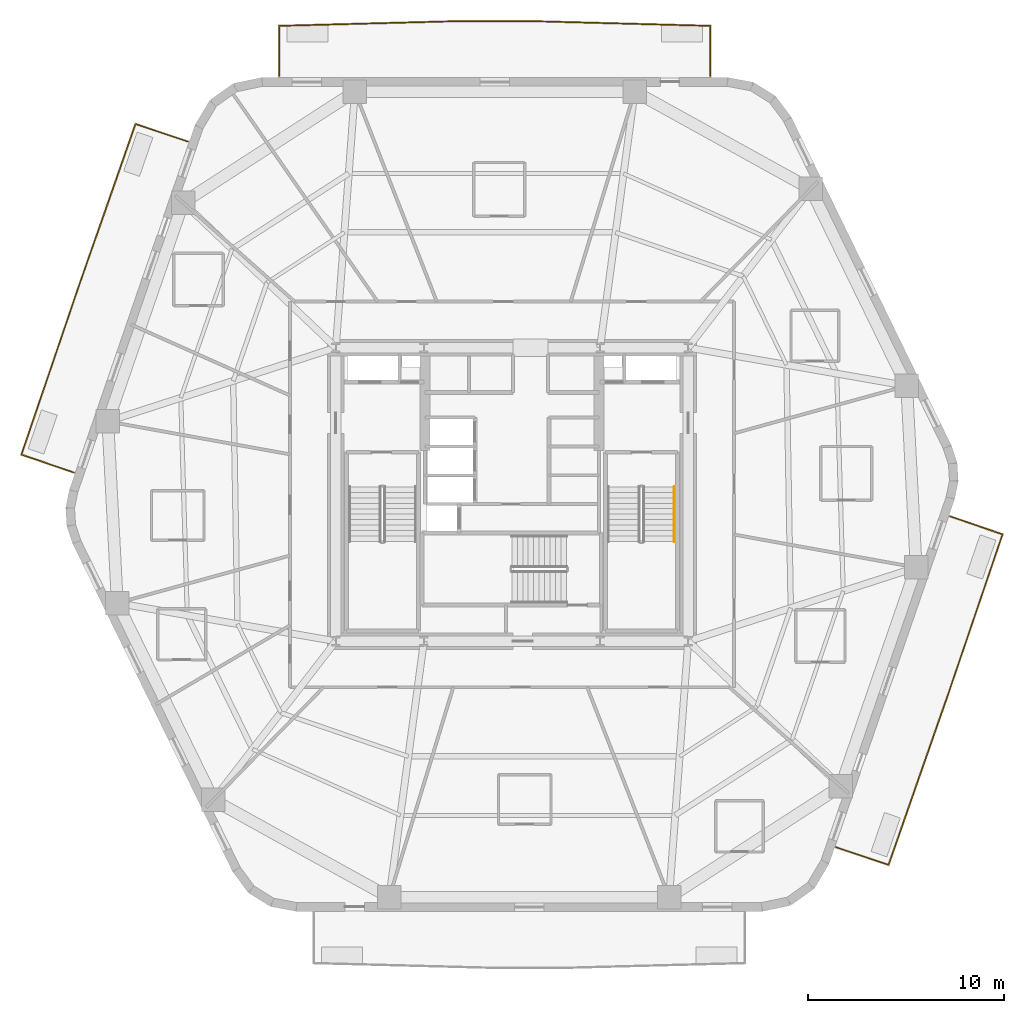
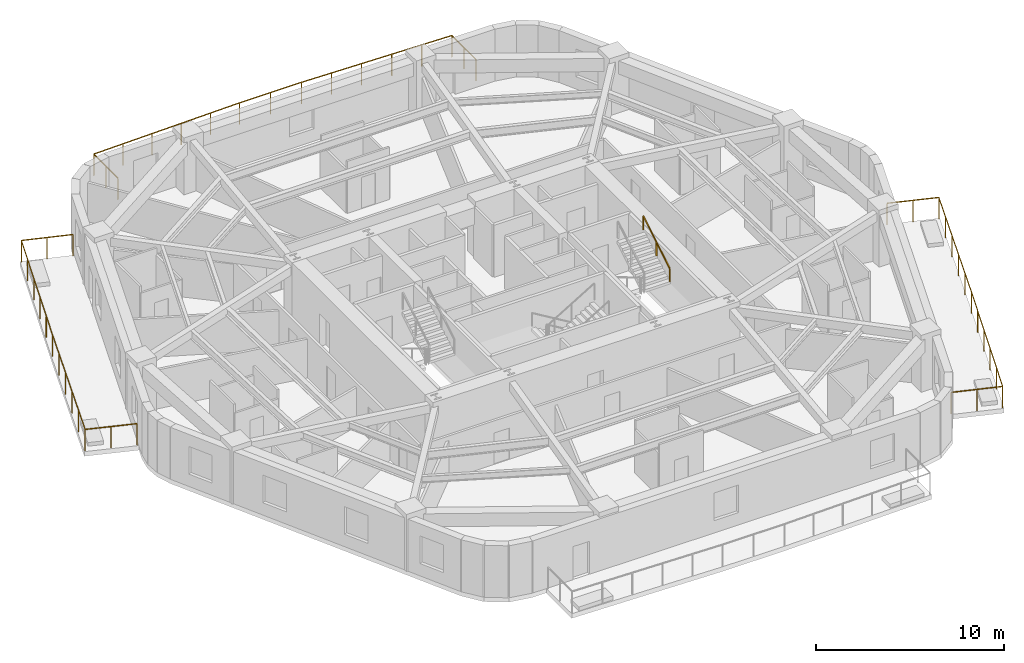
# One storey, part 8 of 8: 4 railings.
"""IFC4 building model written with IfcOpenShell, lengths in metres."""

from ifc_helpers import new_model, si_unit, direction, frame, origin, origin_2d, place, context, subcontext, project, spatial, rectangle, extrude, material, layer, layer_set, type_object, element, save


model = new_model("IFC4")

# Units and contexts
model_context = context("Model", 3, precision=1e-05, world=origin(), true_north=direction((0.0, 1.0)))
body_context = subcontext(model_context, "Body", "Model", "MODEL_VIEW")
ifc_project = project(units=[si_unit("LENGTHUNIT", "METRE"), si_unit("AREAUNIT", "SQUARE_METRE"), si_unit("VOLUMEUNIT", "CUBIC_METRE"), si_unit("PLANEANGLEUNIT", "RADIAN"), si_unit("MASSUNIT", "GRAM", prefix="KILO")], contexts=[model_context])

# Site, building, storey
site_placement = place(None, origin())
site = spatial("IfcSite", under=ifc_project, at=site_placement, CompositionType="ELEMENT")
building_placement = place(site_placement, origin())
building = spatial("IfcBuilding", under=site, at=building_placement, Name="Kilnhurst Terrace Hotel", CompositionType="ELEMENT")
storey_placement = place(building_placement, frame((0.0, 0.0, 135.800048828125)))
storey = spatial("IfcBuildingStorey", under=building, at=storey_placement, Name="L33", CompositionType="ELEMENT", Elevation=135.800048828125)

# Railings
ifc_material_1 = material(Name="Laminated SentryGlas and Stainless Steel AISI 316L Balustrade", Category="steel")
ifc_layer_1 = layer(ifc_material_1, 0.070068359375, Name="Laminated SentryGlas and Stainless Steel AISI 316L Balustrade")
ifc_layer_set_1 = layer_set([ifc_layer_1], Name="Laminated SentryGlas and Stainless Steel AISI 316L Balustrade")
railing_type_1 = type_object("IfcRailingType", Name="RLG-BAL-1420", PredefinedType="BALUSTRADE", material=ifc_layer_set_1)
railing_1_placement = place(storey_placement, frame((22.394287109375, -1.123779296875, 0.0)))
element("IfcRailing", 1, at=railing_1_placement, inside=storey, type_object=railing_type_1, Name="L33 Exterior Terrace Guardrail BAL-L1B.1", PredefinedType="BALUSTRADE", context=body_context, shape_type="SweptSolid", body=[
    extrude(rectangle(XDim=0.048095703125, YDim=0.048095703125, at=origin_2d()), frame((0.0, 0.0, 1.39599609375), z_axis=(0.945999088216, -0.324169284625, 0.0), x_axis=(0.324169284625, 0.945999088216, 0.0)), (0.0, 0.0, 1.0), 2.818115234375),
    extrude(rectangle(XDim=0.048095703125, YDim=0.048095703125, at=origin_2d()), frame((2.666015625, -0.91357421875, 1.39599609375), z_axis=(-0.322236749626, -0.946659113509, 0.0), x_axis=(0.946659113509, -0.322236749626, 0.0)), (0.0, 0.0, 1.0), 8.94921875),
    extrude(rectangle(XDim=0.048095703125, YDim=0.048095703125, at=origin_2d()), frame((-0.2177734375, -9.385498046875, 1.39599609375), z_axis=(-0.329867270016, -0.94402732173, 0.0), x_axis=(0.94402732173, -0.329867270016, 0.0)), (0.0, 0.0, 1.0), 8.9140625),
    extrude(rectangle(XDim=0.048095703125, YDim=0.048095703125, at=origin_2d()), frame((-3.158203125, -17.800537109375, 1.39599609375), z_axis=(-0.948125796951, 0.317895380834, 0.0), x_axis=(-0.317895380834, -0.948125796951, 0.0)), (0.0, 0.0, 1.0), 2.81005859375),
    extrude(rectangle(XDim=0.0419921875, YDim=0.0419921875, at=origin_2d()), origin(), (0.0, 0.0, 1.0), 1.371826171875),
    extrude(rectangle(XDim=0.0419921875, YDim=0.0419921875, at=origin_2d()), frame((1.3330078125, -0.456787109375, 0.0)), (0.0, 0.0, 1.0), 1.371826171875),
    extrude(rectangle(XDim=0.0419921875, YDim=0.0419921875, at=origin_2d()), frame((2.666015625, -0.91357421875, 0.0)), (0.0, 0.0, 1.0), 1.371826171875),
    extrude(rectangle(XDim=0.0419921875, YDim=0.0419921875, at=origin_2d()), frame((2.08935546875, -2.60791015625, 0.0)), (0.0, 0.0, 1.0), 1.371826171875),
    extrude(rectangle(XDim=0.0419921875, YDim=0.0419921875, at=origin_2d()), frame((1.512451171875, -4.30224609375, 0.0)), (0.0, 0.0, 1.0), 1.371826171875),
    extrude(rectangle(XDim=0.0419921875, YDim=0.0419921875, at=origin_2d()), frame((0.935791015625, -5.996826171875, 0.0)), (0.0, 0.0, 1.0), 1.371826171875),
    extrude(rectangle(XDim=0.0419921875, YDim=0.0419921875, at=origin_2d()), frame((0.35888671875, -7.691162109375, 0.0)), (0.0, 0.0, 1.0), 1.371826171875),
    extrude(rectangle(XDim=0.0419921875, YDim=0.0419921875, at=origin_2d()), frame((-0.2177734375, -9.385498046875, 0.0)), (0.0, 0.0, 1.0), 1.371826171875),
    extrude(rectangle(XDim=0.0419921875, YDim=0.0419921875, at=origin_2d()), frame((-0.805908203125, -11.068603515625, 0.0)), (0.0, 0.0, 1.0), 1.371826171875),
    extrude(rectangle(XDim=0.0419921875, YDim=0.0419921875, at=origin_2d()), frame((-1.39404296875, -12.75146484375, 0.0)), (0.0, 0.0, 1.0), 1.371826171875),
    extrude(rectangle(XDim=0.0419921875, YDim=0.0419921875, at=origin_2d()), frame((-1.98193359375, -14.4345703125, 0.0)), (0.0, 0.0, 1.0), 1.371826171875),
    extrude(rectangle(XDim=0.0419921875, YDim=0.0419921875, at=origin_2d()), frame((-2.570068359375, -16.117431640625, 0.0)), (0.0, 0.0, 1.0), 1.371826171875),
    extrude(rectangle(XDim=0.0419921875, YDim=0.0419921875, at=origin_2d()), frame((-3.158203125, -17.800537109375, 0.0)), (0.0, 0.0, 1.0), 1.371826171875),
    extrude(rectangle(XDim=0.0419921875, YDim=0.0419921875, at=origin_2d()), frame((-4.490234375, -17.35400390625, 0.0)), (0.0, 0.0, 1.0), 1.371826171875),
    extrude(rectangle(XDim=0.0419921875, YDim=0.0419921875, at=origin_2d()), frame((-5.822509765625, -16.9072265625, 0.0)), (0.0, 0.0, 1.0), 1.371826171875),
])
railing_2_placement = place(storey_placement, frame((-11.8837890625, 21.3798828125, 0.0)))
element("IfcRailing", 2, at=railing_2_placement, inside=storey, type_object=railing_type_1, Name="L33 Exterior Terrace Guardrail BAL-L2A.1", PredefinedType="BALUSTRADE", context=body_context, shape_type="SweptSolid", body=[
    extrude(rectangle(XDim=0.048095703125, YDim=0.048095703125, at=origin_2d()), frame((0.0, 0.0, 1.39599609375), z_axis=(0.0, 1.0, 0.0), x_axis=(-1.0, 0.0, 0.0)), (0.0, 0.0, 1.0), 2.561767578125),
    extrude(rectangle(XDim=0.048095703125, YDim=0.048095703125, at=origin_2d()), frame((0.0, 2.561767578125, 1.39599609375), z_axis=(0.999657105501, 0.026185328367, 0.0), x_axis=(-0.026185328367, 0.999657105501, 0.0)), (0.0, 0.0, 1.0), 9.099853515625),
    extrude(rectangle(XDim=0.048095703125, YDim=0.048095703125, at=origin_2d()), frame((9.0966796875, 2.800048828125, 1.39599609375), z_axis=(1.0, 0.0, 0.0), x_axis=(0.0, 1.0, 0.0)), (0.0, 0.0, 1.0), 3.8134765625),
    extrude(rectangle(XDim=0.048095703125, YDim=0.048095703125, at=origin_2d()), frame((12.91015625, 2.800048828125, 1.39599609375), z_axis=(0.999657105501, -0.026185328367, 0.0), x_axis=(0.026185328367, 0.999657105501, 0.0)), (0.0, 0.0, 1.0), 9.099853515625),
    extrude(rectangle(XDim=0.048095703125, YDim=0.048095703125, at=origin_2d()), frame((22.0068359375, 2.561767578125, 1.39599609375), z_axis=(0.0, -1.0, 0.0), x_axis=(1.0, 0.0, 0.0)), (0.0, 0.0, 1.0), 2.561767578125),
    extrude(rectangle(XDim=0.0419921875, YDim=0.0419921875, at=origin_2d()), origin(), (0.0, 0.0, 1.0), 1.371826171875),
    extrude(rectangle(XDim=0.0419921875, YDim=0.0419921875, at=origin_2d()), frame((0.0, 1.28076171875, 0.0)), (0.0, 0.0, 1.0), 1.371826171875),
    extrude(rectangle(XDim=0.0419921875, YDim=0.0419921875, at=origin_2d()), frame((0.0, 2.561767578125, 0.0)), (0.0, 0.0, 1.0), 1.371826171875),
    extrude(rectangle(XDim=0.0419921875, YDim=0.0419921875, at=origin_2d()), frame((1.8193359375, 2.609375, 0.0)), (0.0, 0.0, 1.0), 1.371826171875),
    extrude(rectangle(XDim=0.0419921875, YDim=0.0419921875, at=origin_2d()), frame((3.638671875, 2.656982421875, 0.0)), (0.0, 0.0, 1.0), 1.371826171875),
    extrude(rectangle(XDim=0.0419921875, YDim=0.0419921875, at=origin_2d()), frame((5.4580078125, 2.704833984375, 0.0)), (0.0, 0.0, 1.0), 1.371826171875),
    extrude(rectangle(XDim=0.0419921875, YDim=0.0419921875, at=origin_2d()), frame((7.27734375, 2.75244140625, 0.0)), (0.0, 0.0, 1.0), 1.371826171875),
    extrude(rectangle(XDim=0.0419921875, YDim=0.0419921875, at=origin_2d()), frame((9.0966796875, 2.800048828125, 0.0)), (0.0, 0.0, 1.0), 1.371826171875),
    extrude(rectangle(XDim=0.0419921875, YDim=0.0419921875, at=origin_2d()), frame((11.00341796875, 2.800048828125, 0.0)), (0.0, 0.0, 1.0), 1.371826171875),
    extrude(rectangle(XDim=0.0419921875, YDim=0.0419921875, at=origin_2d()), frame((12.91015625, 2.800048828125, 0.0)), (0.0, 0.0, 1.0), 1.371826171875),
    extrude(rectangle(XDim=0.0419921875, YDim=0.0419921875, at=origin_2d()), frame((14.7294921875, 2.75244140625, 0.0)), (0.0, 0.0, 1.0), 1.371826171875),
    extrude(rectangle(XDim=0.0419921875, YDim=0.0419921875, at=origin_2d()), frame((16.548828125, 2.704833984375, 0.0)), (0.0, 0.0, 1.0), 1.371826171875),
    extrude(rectangle(XDim=0.0419921875, YDim=0.0419921875, at=origin_2d()), frame((18.3681640625, 2.656982421875, 0.0)), (0.0, 0.0, 1.0), 1.371826171875),
    extrude(rectangle(XDim=0.0419921875, YDim=0.0419921875, at=origin_2d()), frame((20.1875, 2.609375, 0.0)), (0.0, 0.0, 1.0), 1.371826171875),
    extrude(rectangle(XDim=0.0419921875, YDim=0.0419921875, at=origin_2d()), frame((22.0068359375, 2.561767578125, 0.0)), (0.0, 0.0, 1.0), 1.371826171875),
    extrude(rectangle(XDim=0.0419921875, YDim=0.0419921875, at=origin_2d()), frame((22.0068359375, 1.28076171875, 0.0)), (0.0, 0.0, 1.0), 1.371826171875),
    extrude(rectangle(XDim=0.0419921875, YDim=0.0419921875, at=origin_2d()), frame((22.0068359375, 0.0, 0.0)), (0.0, 0.0, 1.0), 1.371826171875),
])
railing_3_placement = place(storey_placement, frame((-22.394287109375, 1.123779296875, 0.0)))
element("IfcRailing", 3, at=railing_3_placement, inside=storey, type_object=railing_type_1, Name="L33 Exterior Terrace Guardrail BAL-L2B.1", PredefinedType="BALUSTRADE", context=body_context, shape_type="SweptSolid", body=[
    extrude(rectangle(XDim=0.048095703125, YDim=0.048095703125, at=origin_2d()), frame((0.0, 0.0, 1.39599609375), z_axis=(-0.945999088216, 0.324169284625, 0.0), x_axis=(-0.324169284625, -0.945999088216, 0.0)), (0.0, 0.0, 1.0), 2.818115234375),
    extrude(rectangle(XDim=0.048095703125, YDim=0.048095703125, at=origin_2d()), frame((-2.666015625, 0.91357421875, 1.39599609375), z_axis=(0.322236749626, 0.946659113509, 0.0), x_axis=(-0.946659113509, 0.322236749626, 0.0)), (0.0, 0.0, 1.0), 8.94921875),
    extrude(rectangle(XDim=0.048095703125, YDim=0.048095703125, at=origin_2d()), frame((0.2177734375, 9.385498046875, 1.39599609375), z_axis=(0.329867270016, 0.94402732173, 0.0), x_axis=(-0.94402732173, 0.329867270016, 0.0)), (0.0, 0.0, 1.0), 8.9140625),
    extrude(rectangle(XDim=0.048095703125, YDim=0.048095703125, at=origin_2d()), frame((3.158203125, 17.800537109375, 1.39599609375), z_axis=(0.948125796951, -0.317895380834, 0.0), x_axis=(0.317895380834, 0.948125796951, 0.0)), (0.0, 0.0, 1.0), 2.81005859375),
    extrude(rectangle(XDim=0.0419921875, YDim=0.0419921875, at=origin_2d()), origin(), (0.0, 0.0, 1.0), 1.371826171875),
    extrude(rectangle(XDim=0.0419921875, YDim=0.0419921875, at=origin_2d()), frame((-1.3330078125, 0.456787109375, 0.0)), (0.0, 0.0, 1.0), 1.371826171875),
    extrude(rectangle(XDim=0.0419921875, YDim=0.0419921875, at=origin_2d()), frame((-2.666015625, 0.91357421875, 0.0)), (0.0, 0.0, 1.0), 1.371826171875),
    extrude(rectangle(XDim=0.0419921875, YDim=0.0419921875, at=origin_2d()), frame((-2.08935546875, 2.60791015625, 0.0)), (0.0, 0.0, 1.0), 1.371826171875),
    extrude(rectangle(XDim=0.0419921875, YDim=0.0419921875, at=origin_2d()), frame((-1.512451171875, 4.30224609375, 0.0)), (0.0, 0.0, 1.0), 1.371826171875),
    extrude(rectangle(XDim=0.0419921875, YDim=0.0419921875, at=origin_2d()), frame((-0.935791015625, 5.996826171875, 0.0)), (0.0, 0.0, 1.0), 1.371826171875),
    extrude(rectangle(XDim=0.0419921875, YDim=0.0419921875, at=origin_2d()), frame((-0.35888671875, 7.691162109375, 0.0)), (0.0, 0.0, 1.0), 1.371826171875),
    extrude(rectangle(XDim=0.0419921875, YDim=0.0419921875, at=origin_2d()), frame((0.2177734375, 9.385498046875, 0.0)), (0.0, 0.0, 1.0), 1.371826171875),
    extrude(rectangle(XDim=0.0419921875, YDim=0.0419921875, at=origin_2d()), frame((0.805908203125, 11.068603515625, 0.0)), (0.0, 0.0, 1.0), 1.371826171875),
    extrude(rectangle(XDim=0.0419921875, YDim=0.0419921875, at=origin_2d()), frame((1.39404296875, 12.75146484375, 0.0)), (0.0, 0.0, 1.0), 1.371826171875),
    extrude(rectangle(XDim=0.0419921875, YDim=0.0419921875, at=origin_2d()), frame((1.98193359375, 14.4345703125, 0.0)), (0.0, 0.0, 1.0), 1.371826171875),
    extrude(rectangle(XDim=0.0419921875, YDim=0.0419921875, at=origin_2d()), frame((2.570068359375, 16.117431640625, 0.0)), (0.0, 0.0, 1.0), 1.371826171875),
    extrude(rectangle(XDim=0.0419921875, YDim=0.0419921875, at=origin_2d()), frame((3.158203125, 17.800537109375, 0.0)), (0.0, 0.0, 1.0), 1.371826171875),
    extrude(rectangle(XDim=0.0419921875, YDim=0.0419921875, at=origin_2d()), frame((4.490234375, 17.35400390625, 0.0)), (0.0, 0.0, 1.0), 1.371826171875),
    extrude(rectangle(XDim=0.0419921875, YDim=0.0419921875, at=origin_2d()), frame((5.822509765625, 16.9072265625, 0.0)), (0.0, 0.0, 1.0), 1.371826171875),
])
ifc_material_2 = material(Name="Brushed Stainless Steel AISI 304", Category="steel")
ifc_layer_2 = layer(ifc_material_2, 0.048095703125, Name="Brushed Stainless Steel AISI 304")
ifc_layer_set_2 = layer_set([ifc_layer_2], Name="Brushed Stainless Steel AISI 304")
railing_type_2 = type_object("IfcRailingType", Name="RLG-ST-HRL-900", PredefinedType="HANDRAIL", material=ifc_layer_set_2)
railing_4_placement = place(storey_placement, frame((8.300048828125, -2.409912109375, 2.01806640625)))
element("IfcRailing", 4, at=railing_4_placement, inside=storey, type_object=railing_type_2, Name="L33 ST-2 stair handrail 2", PredefinedType="HANDRAIL", context=body_context, shape_type="SweptSolid", body=[
    extrude(rectangle(XDim=0.048095703125, YDim=0.048095703125, at=origin_2d()), frame((0.0, 0.0, 0.8759765625), z_axis=(0.0, 0.857222391501, 0.514946377315), x_axis=(-1.0, 0.0, 0.0)), (0.0, 0.0, 1.0), 3.26611328125),
    extrude(rectangle(XDim=0.0419921875, YDim=0.0419921875, at=origin_2d()), origin(), (0.0, 0.0, 1.0), 0.851806640625),
    extrude(rectangle(XDim=0.0419921875, YDim=0.0419921875, at=origin_2d()), frame((0.0, 1.39990234375, 0.8408203125)), (0.0, 0.0, 1.0), 0.851806640625),
    extrude(rectangle(XDim=0.0419921875, YDim=0.0419921875, at=origin_2d()), frame((0.0, 2.7998046875, 1.681884765625)), (0.0, 0.0, 1.0), 0.851806640625),
])

save(model, "model.ifc")
